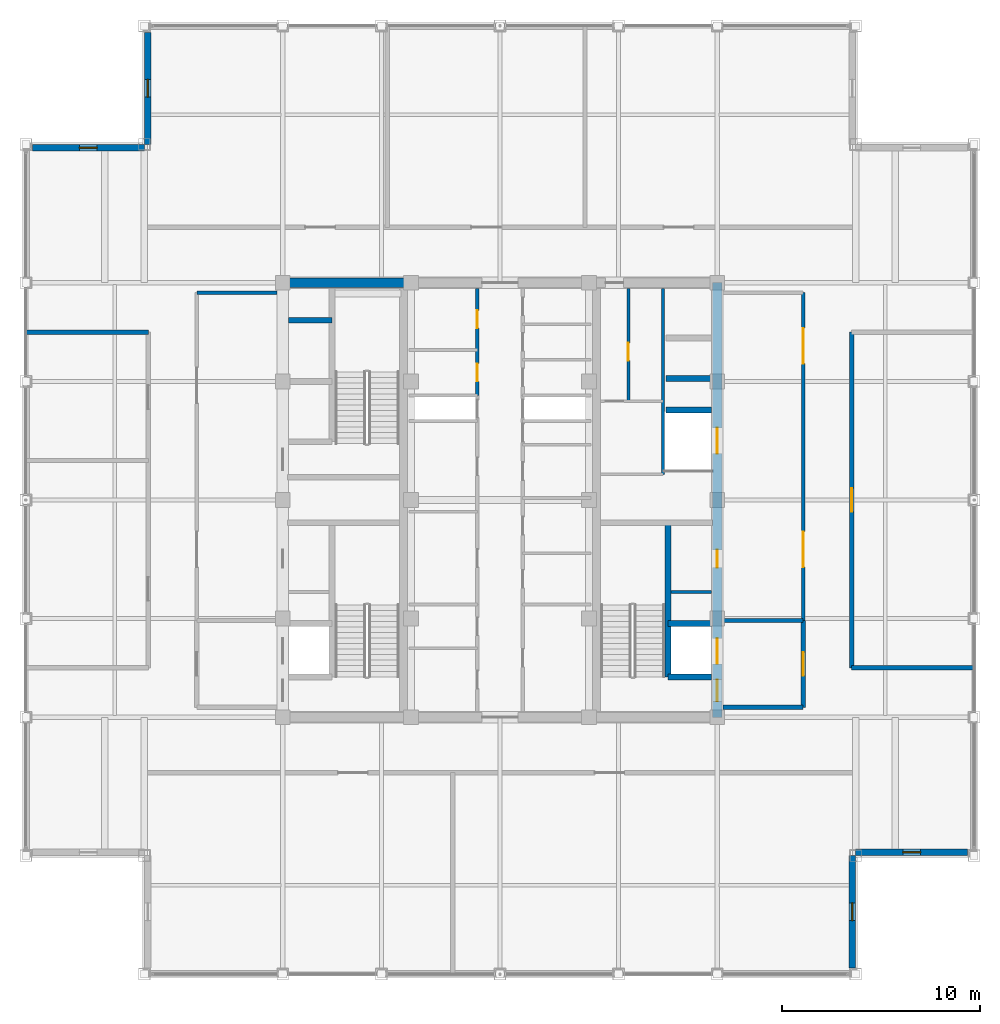
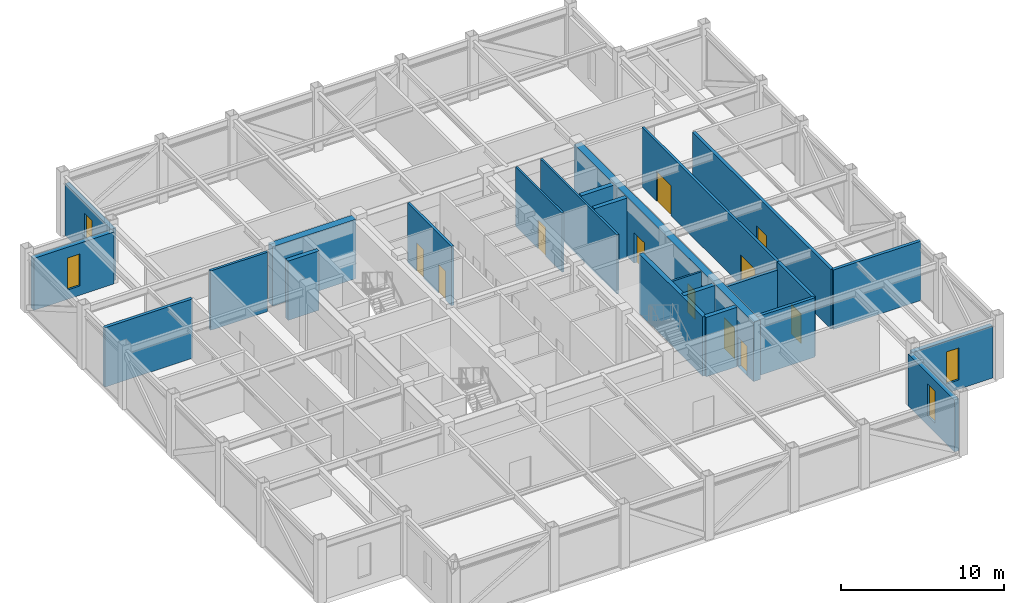
# One storey, part 25 of 27: 24 walls, 11 doors, 4 windows, 15 openings.
"""IFC4 building model written with IfcOpenShell, lengths in metres."""

from ifc_helpers import new_model, si_unit, direction, frame, frame_2d, origin, place, context, subcontext, project, spatial, rectangle, extrude, source, transform, mapped, material, layer, layer_set, type_object, element, fill, save


model = new_model("IFC4")

# Units and contexts
model_context = context("Model", 3, precision=1e-05, world=origin(), true_north=direction((0.0, 1.0)))
body_context = subcontext(model_context, "Body", "Model", "MODEL_VIEW")
ifc_project = project(units=[si_unit("LENGTHUNIT", "METRE"), si_unit("AREAUNIT", "SQUARE_METRE"), si_unit("VOLUMEUNIT", "CUBIC_METRE"), si_unit("PLANEANGLEUNIT", "RADIAN"), si_unit("MASSUNIT", "GRAM", prefix="KILO")], contexts=[model_context])

# Site, building, storey
site_placement = place(None, origin())
site = spatial("IfcSite", under=ifc_project, at=site_placement, CompositionType="ELEMENT")
building_placement = place(site_placement, origin())
building = spatial("IfcBuilding", under=site, at=building_placement, Name="Khorayat Bourse Tower", CompositionType="ELEMENT")
storey_placement = place(building_placement, frame((0.0, 0.0, 380.300048828125)))
storey = spatial("IfcBuildingStorey", under=building, at=storey_placement, Name="L90", CompositionType="ELEMENT", Elevation=380.300048828125)

# Wall, openings, doors
ifc_material_1 = material(Name="Concrete C52/65", Category="concrete")
ifc_layer_1 = layer(ifc_material_1, 0.5)
ifc_layer_set_1 = layer_set([ifc_layer_1], Name="Concrete C52/65")
wall_type_1 = type_object("IfcWallType", Name="WAL-CORE-500", PredefinedType="SHEAR", material=ifc_layer_set_1)
shared_shape_1 = source(origin(), body_context, "Body", "SweptSolid", [
    extrude(rectangle(XDim=22.0, YDim=0.5, at=frame_2d((11.0, 0.0))), origin(), (0.0, 0.0, 1.0), 4.449951171875),
])
wall_1_placement = place(storey_placement, frame((11.0, -11.0, 0.0), z_axis=(0.0, 0.0, 1.0), x_axis=(0.0, 1.0, 0.0)))
wall_1 = element("IfcWall", 1, at=wall_1_placement, inside=storey, type_object=wall_type_1, Name="L90 Core Shear Wall CORE-E", PredefinedType="SHEAR", context=body_context, shape_type="MappedRepresentation", body=[
    mapped(shared_shape_1, transform((0.0, 0.0, 0.0), scale=1.0)),
])
shared_shape_2 = source(origin(), body_context, "Body", "SweptSolid", [
    extrude(rectangle(XDim=1.10009765625, YDim=2.199951171875, at=frame_2d((0.550048828125, 1.10009765625))), frame((0.0, 0.260009765625, 0.0), z_axis=(0.0, -1.0, 0.0), x_axis=(1.0, 0.0, 0.0)), (0.0, 0.0, 1.0), 0.52001953125),
])
opening_1_placement = place(wall_1_placement, frame((0.800048828125, 0.0, 0.0)))
opening_1 = element("IfcOpeningElement", 2, at=opening_1_placement, cuts=wall_1, Name="Opening DI-01", PredefinedType="OPENING", context=body_context, shape_type="MappedRepresentation", body=[
    mapped(shared_shape_2, transform((0.0, 0.0, 0.0), scale=1.0)),
])
shared_shape_3 = source(origin(), body_context, "Body", "SweptSolid", [
    extrude(rectangle(XDim=0.89990234375, YDim=2.14990234375, at=frame_2d((0.449951171875, 1.074951171875))), frame((0.0, 0.260009765625, 0.0), z_axis=(0.0, -1.0, 0.0), x_axis=(1.0, 0.0, 0.0)), (0.0, 0.0, 1.0), 0.52001953125),
])
opening_2_placement = place(wall_1_placement, frame((7.574951171875, 0.0, 0.0)))
opening_2 = element("IfcOpeningElement", 3, at=opening_2_placement, cuts=wall_1, Name="Opening DI-06", PredefinedType="OPENING", context=body_context, shape_type="MappedRepresentation", body=[
    mapped(shared_shape_3, transform((0.0, 0.0, 0.0), scale=1.0)),
])
shared_shape_4 = source(origin(), body_context, "Body", "SweptSolid", [
    extrude(rectangle(XDim=1.300048828125, YDim=2.300048828125, at=frame_2d((0.64990234375, 1.14990234375))), frame((0.0, 0.260009765625, 0.0), z_axis=(0.0, -1.0, 0.0), x_axis=(1.0, 0.0, 0.0)), (0.0, 0.0, 1.0), 0.52001953125),
])
opening_3_placement = place(wall_1_placement, frame((2.699951171875, 0.0, 0.0)))
opening_3 = element("IfcOpeningElement", 4, at=opening_3_placement, cuts=wall_1, Name="Opening LD-02", PredefinedType="OPENING", context=body_context, shape_type="MappedRepresentation", body=[
    mapped(shared_shape_4, transform((0.0, 0.0, 0.0), scale=1.0)),
])
opening_4_placement = place(wall_1_placement, frame((13.35009765625, 0.0, 0.0)))
opening_4 = element("IfcOpeningElement", 5, at=opening_4_placement, cuts=wall_1, Name="Opening LD-02", PredefinedType="OPENING", context=body_context, shape_type="MappedRepresentation", body=[
    mapped(shared_shape_4, transform((0.0, 0.0, 0.0), scale=1.0)),
])
ifc_material_2 = material(Name="Fire-rated steel acoustic leaf", Category="steel")
door_type_1 = type_object("IfcDoorType", Name="DR-INT-STAIR-1100", OperationType="NOTDEFINED", PredefinedType="DOOR", material=ifc_material_2)
shared_shape_5 = source(origin(), body_context, "Body", "SweptSolid", [
    extrude(rectangle(XDim=1.10009765625, YDim=2.199951171875, at=frame_2d((0.550048828125, 1.10009765625))), frame((0.0, 0.02490234375, 0.0), z_axis=(0.0, -1.0, 0.0), x_axis=(1.0, 0.0, 0.0)), (0.0, 0.0, 1.0), 0.050048828125),
])
door_1_placement = place(opening_1_placement, origin())
door_1 = element("IfcDoor", 6, at=door_1_placement, inside=storey, type_object=door_type_1, Name="L90 Exit Stair 3 Door", OperationType="SINGLE_SWING_LEFT", OverallHeight=2.199951171875, OverallWidth=1.10009765625, PredefinedType="DOOR", context=body_context, shape_type="MappedRepresentation", body=[
    mapped(shared_shape_5, transform((0.0, 0.0, 0.0), scale=1.0)),
])
fill(opening_1, door_1)
ifc_material_3 = material(Name="Moisture-resistant laminate washroom door")
door_type_2 = type_object("IfcDoorType", Name="DR-INT-WC-900", OperationType="NOTDEFINED", PredefinedType="DOOR", material=ifc_material_3)
shared_shape_6 = source(origin(), body_context, "Body", "SweptSolid", [
    extrude(rectangle(XDim=0.89990234375, YDim=2.14990234375, at=frame_2d((0.449951171875, 1.074951171875))), frame((0.0, 0.02490234375, 0.0), z_axis=(0.0, -1.0, 0.0), x_axis=(1.0, 0.0, 0.0)), (0.0, 0.0, 1.0), 0.050048828125),
])
door_2_placement = place(opening_2_placement, origin())
door_2 = element("IfcDoor", 7, at=door_2_placement, inside=storey, type_object=door_type_2, Name="L90 Fiber Server Plant Room Door", OperationType="SINGLE_SWING_LEFT", OverallHeight=2.14990234375, OverallWidth=0.89990234375, PredefinedType="DOOR", context=body_context, shape_type="MappedRepresentation", body=[
    mapped(shared_shape_6, transform((0.0, 0.0, 0.0), scale=1.0)),
])
fill(opening_2, door_2)
ifc_material_4 = material(Name="Fire-rated stainless-steel sliding landing door", Category="steel")
door_type_3 = type_object("IfcDoorType", Name="DR-LIFT-FF-1300", OperationType="NOTDEFINED", PredefinedType="DOOR", material=ifc_material_4)
shared_shape_7 = source(origin(), body_context, "Body", "SweptSolid", [
    extrude(rectangle(XDim=1.300048828125, YDim=2.300048828125, at=frame_2d((0.64990234375, 1.14990234375))), frame((0.0, 0.02490234375, 0.0), z_axis=(0.0, -1.0, 0.0), x_axis=(1.0, 0.0, 0.0)), (0.0, 0.0, 1.0), 0.050048828125),
])
door_3_placement = place(opening_3_placement, origin())
door_3 = element("IfcDoor", 8, at=door_3_placement, inside=storey, type_object=door_type_3, Name="L90 Lift FFL-02 Sliding Landing Door", OperationType="SLIDING_TO_LEFT", OverallHeight=2.300048828125, OverallWidth=1.300048828125, PredefinedType="DOOR", context=body_context, shape_type="MappedRepresentation", body=[
    mapped(shared_shape_7, transform((0.0, 0.0, 0.0), scale=1.0)),
])
fill(opening_3, door_3)
door_4_placement = place(opening_4_placement, origin())
door_4 = element("IfcDoor", 9, at=door_4_placement, inside=storey, type_object=door_type_3, Name="L90 Lift SVL-01 Sliding Landing Door", OperationType="SLIDING_TO_LEFT", OverallHeight=2.300048828125, OverallWidth=1.300048828125, PredefinedType="DOOR", context=body_context, shape_type="MappedRepresentation", body=[
    mapped(shared_shape_7, transform((0.0, 0.0, 0.0), scale=1.0)),
])
fill(opening_4, door_4)

# Wall
shared_shape_8 = source(origin(), body_context, "Body", "SweptSolid", [
    extrude(rectangle(XDim=5.89990234375, YDim=0.5, at=frame_2d((2.949951171875, 0.0))), origin(), (0.0, 0.0, 1.0), 4.449951171875),
])
wall_2_placement = place(storey_placement, frame((-10.75, 11.0, 0.0), z_axis=(0.0, 0.0, 1.0), x_axis=(1.0, 0.0, 0.0)))
element("IfcWall", 10, at=wall_2_placement, inside=storey, type_object=wall_type_1, Name="L90 Core Shear Wall PIER-WN", PredefinedType="SHEAR", context=body_context, shape_type="MappedRepresentation", body=[
    mapped(shared_shape_8, transform((0.0, 0.0, 0.0), scale=1.0)),
])

# Wall, opening, window
ifc_material_5 = material(Name="Precast concrete C45/55", Category="concrete")
ifc_layer_2 = layer(ifc_material_5, 0.320068359375)
ifc_layer_set_2 = layer_set([ifc_layer_2], Name="Precast concrete C45/55")
wall_type_2 = type_object("IfcWallType", Name="WAL-EXT-STONE-320", PredefinedType="STANDARD", material=ifc_layer_set_2)
shared_shape_9 = source(origin(), body_context, "Body", "SweptSolid", [
    extrude(rectangle(XDim=5.679931640625, YDim=0.320068359375, at=frame_2d((2.83984375, 0.0))), origin(), (0.0, 0.0, 1.0), 3.90087890625),
])
wall_3_placement = place(storey_placement, frame((17.840087890625, -23.679931640625, 0.0), z_axis=(0.0, 0.0, 1.0), x_axis=(0.0, 1.0, 0.0)))
wall_3 = element("IfcWall", 11, at=wall_3_placement, inside=storey, type_object=wall_type_2, Name="L90 Re-Entrant Notch Limestone Wall SE-V", PredefinedType="STANDARD", context=body_context, shape_type="MappedRepresentation", body=[
    mapped(shared_shape_9, transform((0.0, 0.0, 0.0), scale=1.0)),
])
shared_shape_10 = source(origin(), body_context, "Body", "SweptSolid", [
    extrude(rectangle(XDim=0.89990234375, YDim=2.39990234375, at=frame_2d((0.449951171875, 1.199951171875))), frame((0.0, 0.169921875, 0.0), z_axis=(0.0, -1.0, 0.0), x_axis=(1.0, 0.0, 0.0)), (0.0, 0.0, 1.0), 0.340087890625),
])
opening_5_placement = place(wall_3_placement, frame((2.389892578125, 0.0, 0.699951171875)))
opening_5 = element("IfcOpeningElement", 12, at=opening_5_placement, cuts=wall_3, Name="Opening WN-03", PredefinedType="OPENING", context=body_context, shape_type="MappedRepresentation", body=[
    mapped(shared_shape_10, transform((0.0, 0.0, 0.0), scale=1.0)),
])
ifc_material_6 = material(Name="Deep-reveal solar-control double glazing", Category="glass")
window_type = type_object("IfcWindowType", Name="WIN-SLOT-900x2400", PartitioningType="SINGLE_PANEL", PredefinedType="WINDOW", material=ifc_material_6)
shared_shape_11 = source(origin(), body_context, "Body", "SweptSolid", [
    extrude(rectangle(XDim=0.89990234375, YDim=2.39990234375, at=frame_2d((0.449951171875, 1.199951171875))), frame((0.0, 0.030029296875, 0.0), z_axis=(0.0, -1.0, 0.0), x_axis=(1.0, 0.0, 0.0)), (0.0, 0.0, 1.0), 0.06005859375),
])
window_1_placement = place(opening_5_placement, origin())
window_1 = element("IfcWindow", 13, at=window_1_placement, inside=storey, type_object=window_type, Name="L90 Facade Window 1", OverallHeight=2.39990234375, OverallWidth=0.89990234375, PartitioningType="SINGLE_PANEL", PredefinedType="WINDOW", context=body_context, shape_type="MappedRepresentation", body=[
    mapped(shared_shape_11, transform((0.0, 0.0, 0.0), scale=1.0)),
])
fill(opening_5, window_1)

wall_4_placement = place(storey_placement, frame((18.0, -17.840087890625, 0.0), z_axis=(0.0, 0.0, 1.0), x_axis=(1.0, 0.0, 0.0)))
wall_4 = element("IfcWall", 14, at=wall_4_placement, inside=storey, type_object=wall_type_2, Name="L90 Re-Entrant Notch Limestone Wall SE-H", PredefinedType="STANDARD", context=body_context, shape_type="MappedRepresentation", body=[
    mapped(shared_shape_9, transform((0.0, 0.0, 0.0), scale=1.0)),
])
opening_6_placement = place(wall_4_placement, frame((2.389892578125, 0.0, 0.699951171875)))
opening_6 = element("IfcOpeningElement", 15, at=opening_6_placement, cuts=wall_4, Name="Opening WN-03", PredefinedType="OPENING", context=body_context, shape_type="MappedRepresentation", body=[
    mapped(shared_shape_10, transform((0.0, 0.0, 0.0), scale=1.0)),
])
window_2_placement = place(opening_6_placement, origin())
window_2 = element("IfcWindow", 16, at=window_2_placement, inside=storey, type_object=window_type, Name="L90 Facade Window 1", OverallHeight=2.39990234375, OverallWidth=0.89990234375, PartitioningType="SINGLE_PANEL", PredefinedType="WINDOW", context=body_context, shape_type="MappedRepresentation", body=[
    mapped(shared_shape_11, transform((0.0, 0.0, 0.0), scale=1.0)),
])
fill(opening_6, window_2)

wall_5_placement = place(storey_placement, frame((-17.840087890625, 18.0, 0.0), z_axis=(0.0, 0.0, 1.0), x_axis=(0.0, 1.0, 0.0)))
wall_5 = element("IfcWall", 17, at=wall_5_placement, inside=storey, type_object=wall_type_2, Name="L90 Re-Entrant Notch Limestone Wall NW-V", PredefinedType="STANDARD", context=body_context, shape_type="MappedRepresentation", body=[
    mapped(shared_shape_9, transform((0.0, 0.0, 0.0), scale=1.0)),
])
opening_7_placement = place(wall_5_placement, frame((2.389892578125, 0.0, 0.699951171875)))
opening_7 = element("IfcOpeningElement", 18, at=opening_7_placement, cuts=wall_5, Name="Opening WN-03", PredefinedType="OPENING", context=body_context, shape_type="MappedRepresentation", body=[
    mapped(shared_shape_10, transform((0.0, 0.0, 0.0), scale=1.0)),
])
window_3_placement = place(opening_7_placement, origin())
window_3 = element("IfcWindow", 19, at=window_3_placement, inside=storey, type_object=window_type, Name="L90 Facade Window 1", OverallHeight=2.39990234375, OverallWidth=0.89990234375, PartitioningType="SINGLE_PANEL", PredefinedType="WINDOW", context=body_context, shape_type="MappedRepresentation", body=[
    mapped(shared_shape_11, transform((0.0, 0.0, 0.0), scale=1.0)),
])
fill(opening_7, window_3)

wall_6_placement = place(storey_placement, frame((-18.0, 17.840087890625, 0.0), z_axis=(0.0, 0.0, 1.0), x_axis=(-1.0, 0.0, 0.0)))
wall_6 = element("IfcWall", 20, at=wall_6_placement, inside=storey, type_object=wall_type_2, Name="L90 Re-Entrant Notch Limestone Wall NW-H", PredefinedType="STANDARD", context=body_context, shape_type="MappedRepresentation", body=[
    mapped(shared_shape_9, transform((0.0, 0.0, 0.0), scale=1.0)),
])
opening_8_placement = place(wall_6_placement, frame((2.389892578125, 0.0, 0.699951171875)))
opening_8 = element("IfcOpeningElement", 21, at=opening_8_placement, cuts=wall_6, Name="Opening WN-03", PredefinedType="OPENING", context=body_context, shape_type="MappedRepresentation", body=[
    mapped(shared_shape_10, transform((0.0, 0.0, 0.0), scale=1.0)),
])
window_4_placement = place(opening_8_placement, origin())
window_4 = element("IfcWindow", 22, at=window_4_placement, inside=storey, type_object=window_type, Name="L90 Facade Window 1", OverallHeight=2.39990234375, OverallWidth=0.89990234375, PartitioningType="SINGLE_PANEL", PredefinedType="WINDOW", context=body_context, shape_type="MappedRepresentation", body=[
    mapped(shared_shape_11, transform((0.0, 0.0, 0.0), scale=1.0)),
])
fill(opening_8, window_4)

# Walls
ifc_material_7 = material(Name="Concrete C50/60", Category="concrete")
ifc_layer_3 = layer(ifc_material_7, 0.300048828125)
ifc_layer_set_3 = layer_set([ifc_layer_3], Name="Concrete C50/60")
wall_type_3 = type_object("IfcWallType", Name="WAL-SHAFT-300", PredefinedType="SHEAR", material=ifc_layer_set_3)
shared_shape_12 = source(origin(), body_context, "Body", "SweptSolid", [
    extrude(rectangle(XDim=7.800048828125, YDim=0.300048828125, at=frame_2d((3.89990234375, 0.0))), origin(), (0.0, 0.0, 1.0), 4.449951171875),
])
wall_7_placement = place(storey_placement, frame((8.5, -8.949951171875, 0.0), z_axis=(0.0, 0.0, 1.0), x_axis=(0.0, 1.0, 0.0)))
element("IfcWall", 23, at=wall_7_placement, inside=storey, type_object=wall_type_3, Name="L90 Partition WAL-L90-EPIER-SP", PredefinedType="SHEAR", context=body_context, shape_type="MappedRepresentation", body=[
    mapped(shared_shape_12, transform((0.0, 0.0, 0.0), scale=1.0)),
])
shared_shape_13 = source(origin(), body_context, "Body", "SweptSolid", [
    extrude(rectangle(XDim=2.199951171875, YDim=0.300048828125, at=frame_2d((1.10009765625, 0.0))), origin(), (0.0, 0.0, 1.0), 4.449951171875),
])
for number, where, z_axis, x_axis, name in (
    (24, (-10.699951171875, 9.10009765625, 0.0), (0.0, 0.0, 1.0), (1.0, 0.0, 0.0), "L90 Partition WAL-L90-WPIER-H2N"),
    (25, (8.5, -8.949951171875, 0.0), (0.0, 0.0, 1.0), (1.0, 0.0, 0.0), "L90 Partition WAL-L90-EPIER-FF2S"),
    (26, (8.5, -6.25, 0.0), (0.0, 0.0, 1.0), (1.0, 0.0, 0.0), "L90 Partition WAL-L90-EPIER-FF2N"),
):
    element("IfcWall", number, at=place(storey_placement, frame(where, z_axis=z_axis, x_axis=x_axis)), inside=storey, type_object=wall_type_3, Name=name, PredefinedType="SHEAR", context=body_context, shape_type="MappedRepresentation", body=[
        mapped(shared_shape_13, transform((0.0, 0.0, 0.0), scale=1.0)),
    ])
shared_shape_14 = source(origin(), body_context, "Body", "SweptSolid", [
    extrude(rectangle(XDim=2.300048828125, YDim=0.300048828125, at=frame_2d((1.14990234375, 0.0))), origin(), (0.0, 0.0, 1.0), 4.449951171875),
])
for number, where, z_axis, x_axis, name in (
    (27, (8.39990234375, 4.550048828125, 0.0), (0.0, 0.0, 1.0), (1.0, 0.0, 0.0), "L90 Partition WAL-L90-EPIER-SVLN"),
    (28, (8.39990234375, 6.14990234375, 0.0), (0.0, 0.0, 1.0), (1.0, 0.0, 0.0), "L90 Partition WAL-L90-EPIER-H3S"),
):
    element("IfcWall", number, at=place(storey_placement, frame(where, z_axis=z_axis, x_axis=x_axis)), inside=storey, type_object=wall_type_3, Name=name, PredefinedType="SHEAR", context=body_context, shape_type="MappedRepresentation", body=[
        mapped(shared_shape_14, transform((0.0, 0.0, 0.0), scale=1.0)),
    ])
ifc_material_8 = material(Name="Gypsum plasterboard twin-frame partition")
ifc_layer_4 = layer(ifc_material_8, 0.14990234375)
ifc_layer_set_4 = layer_set([ifc_layer_4], Name="Gypsum plasterboard twin-frame partition")
wall_type_4 = type_object("IfcWallType", Name="WAL-PART-SUITE-150", PredefinedType="PARTITIONING", material=ifc_layer_set_4)
shared_shape_15 = source(origin(), body_context, "Body", "SweptSolid", [
    extrude(rectangle(XDim=2.050048828125, YDim=0.14990234375, at=frame_2d((1.02490234375, 0.0))), origin(), (0.0, 0.0, 1.0), 4.449951171875),
])
wall_8_placement = place(storey_placement, frame((8.64990234375, -4.64990234375, 0.0), z_axis=(0.0, 0.0, 1.0), x_axis=(1.0, 0.0, 0.0)))
element("IfcWall", 29, at=wall_8_placement, inside=storey, type_object=wall_type_4, Name="L90 Partition WAL-L90-ESRV-S0", PredefinedType="PARTITIONING", context=body_context, shape_type="MappedRepresentation", body=[
    mapped(shared_shape_15, transform((0.0, 0.0, 0.0), scale=1.0)),
])
ifc_material_9 = material(Name="Moisture-resistant masonry partition", Category="masonry")
ifc_layer_5 = layer(ifc_material_9, 0.139892578125)
ifc_layer_set_5 = layer_set([ifc_layer_5], Name="Moisture-resistant masonry partition")
wall_type_5 = type_object("IfcWallType", Name="WAL-PART-WET-140", PredefinedType="PARTITIONING", material=ifc_layer_set_5)
shared_shape_16 = source(origin(), body_context, "Body", "SweptSolid", [
    extrude(rectangle(XDim=9.39990234375, YDim=0.139892578125, at=frame_2d((4.699951171875, 0.0))), origin(), (0.0, 0.0, 1.0), 4.449951171875),
])
wall_9_placement = place(storey_placement, frame((8.25, 1.300048828125, 0.0), z_axis=(0.0, 0.0, 1.0), x_axis=(0.0, 1.0, 0.0)))
element("IfcWall", 30, at=wall_9_placement, inside=storey, type_object=wall_type_5, Name="L90 Partition WAL-L90-ECORE-E", PredefinedType="PARTITIONING", context=body_context, shape_type="MappedRepresentation", body=[
    mapped(shared_shape_16, transform((0.0, 0.0, 0.0), scale=1.0)),
])

# Wall, opening, door
shared_shape_17 = source(origin(), body_context, "Body", "SweptSolid", [
    extrude(rectangle(XDim=5.699951171875, YDim=0.139892578125, at=frame_2d((2.85009765625, 0.0))), origin(), (0.0, 0.0, 1.0), 4.449951171875),
])
wall_10_placement = place(storey_placement, frame((6.5, 5.0, 0.0), z_axis=(0.0, 0.0, 1.0), x_axis=(0.0, 1.0, 0.0)))
wall_10 = element("IfcWall", 31, at=wall_10_placement, inside=storey, type_object=wall_type_5, Name="L90 Partition WAL-L90-ECW-MID", PredefinedType="PARTITIONING", context=body_context, shape_type="MappedRepresentation", body=[
    mapped(shared_shape_17, transform((0.0, 0.0, 0.0), scale=1.0)),
])
shared_shape_18 = source(origin(), body_context, "Body", "SweptSolid", [
    extrude(rectangle(XDim=0.89990234375, YDim=2.14990234375, at=frame_2d((0.449951171875, 1.074951171875))), frame((0.0, 0.079833984375, 0.0), z_axis=(0.0, -1.0, 0.0), x_axis=(1.0, 0.0, 0.0)), (0.0, 0.0, 1.0), 0.159912109375),
])
opening_9_placement = place(wall_10_placement, frame((2.050048828125, 0.0, 0.0)))
opening_9 = element("IfcOpeningElement", 32, at=opening_9_placement, cuts=wall_10, Name="Opening DI-06", PredefinedType="OPENING", context=body_context, shape_type="MappedRepresentation", body=[
    mapped(shared_shape_18, transform((0.0, 0.0, 0.0), scale=1.0)),
])
door_5_placement = place(opening_9_placement, origin())
door_5 = element("IfcDoor", 33, at=door_5_placement, inside=storey, type_object=door_type_2, Name="L90 Accessible WC Door", OperationType="SINGLE_SWING_RIGHT", OverallHeight=2.14990234375, OverallWidth=0.89990234375, PredefinedType="DOOR", context=body_context, shape_type="MappedRepresentation", body=[
    mapped(shared_shape_6, transform((0.0, 0.0, 0.0), scale=1.0)),
])
fill(opening_9, door_5)

# Walls
ifc_material_10 = material(Name="Aerated concrete blockwork", Category="masonry")
ifc_layer_6 = layer(ifc_material_10, 0.219970703125)
ifc_layer_set_6 = layer_set([ifc_layer_6], Name="Aerated concrete blockwork")
wall_type_6 = type_object("IfcWallType", Name="WAL-PART-FF-220", PredefinedType="PARTITIONING", material=ifc_layer_set_6)
shared_shape_19 = source(origin(), body_context, "Body", "SweptSolid", [
    extrude(rectangle(XDim=4.050048828125, YDim=0.219970703125, at=frame_2d((2.02490234375, 0.0))), origin(), (0.0, 0.0, 1.0), 4.449951171875),
])
wall_11_placement = place(storey_placement, frame((11.300048828125, -10.5, 0.0), z_axis=(0.0, 0.0, 1.0), x_axis=(1.0, 0.0, 0.0)))
element("IfcWall", 34, at=wall_11_placement, inside=storey, type_object=wall_type_6, Name="L90 Partition WAL-L90-FFLE-S", PredefinedType="PARTITIONING", context=body_context, shape_type="MappedRepresentation", body=[
    mapped(shared_shape_19, transform((0.0, 0.0, 0.0), scale=1.0)),
])
shared_shape_20 = source(origin(), body_context, "Body", "SweptSolid", [
    extrude(rectangle(XDim=4.050048828125, YDim=0.219970703125, at=frame_2d((2.02490234375, 0.0))), origin(), (0.0, 0.0, 1.0), 3.90087890625),
])
wall_12_placement = place(storey_placement, frame((11.300048828125, -6.10009765625, 0.0), z_axis=(0.0, 0.0, 1.0), x_axis=(1.0, 0.0, 0.0)))
element("IfcWall", 35, at=wall_12_placement, inside=storey, type_object=wall_type_6, Name="L90 Partition WAL-L90-FFLE-N", PredefinedType="PARTITIONING", context=body_context, shape_type="MappedRepresentation", body=[
    mapped(shared_shape_20, transform((0.0, 0.0, 0.0), scale=1.0)),
])

# Wall, opening, door
shared_shape_21 = source(origin(), body_context, "Body", "SweptSolid", [
    extrude(rectangle(XDim=4.39990234375, YDim=0.219970703125, at=frame_2d((2.199951171875, 0.0))), origin(), (0.0, 0.0, 1.0), 4.449951171875),
])
wall_13_placement = place(storey_placement, frame((15.35009765625, -10.5, 0.0), z_axis=(0.0, 0.0, 1.0), x_axis=(0.0, 1.0, 0.0)))
wall_13 = element("IfcWall", 36, at=wall_13_placement, inside=storey, type_object=wall_type_6, Name="L90 Partition WAL-L90-FFLE-E", PredefinedType="PARTITIONING", context=body_context, shape_type="MappedRepresentation", body=[
    mapped(shared_shape_21, transform((0.0, 0.0, 0.0), scale=1.0)),
])
shared_shape_22 = source(origin(), body_context, "Body", "SweptSolid", [
    extrude(rectangle(XDim=1.199951171875, YDim=2.199951171875, at=frame_2d((0.60009765625, 1.10009765625))), frame((0.0, 0.119873046875, 0.0), z_axis=(0.0, -1.0, 0.0), x_axis=(1.0, 0.0, 0.0)), (0.0, 0.0, 1.0), 0.239990234375),
])
opening_10_placement = place(wall_13_placement, frame((1.60009765625, 0.0, 0.0)))
opening_10 = element("IfcOpeningElement", 37, at=opening_10_placement, cuts=wall_13, Name="Opening DI-02", PredefinedType="OPENING", context=body_context, shape_type="MappedRepresentation", body=[
    mapped(shared_shape_22, transform((0.0, 0.0, 0.0), scale=1.0)),
])
ifc_material_11 = material(Name="Fire-rated steel double-seal leaf", Category="steel")
door_type_4 = type_object("IfcDoorType", Name="DR-INT-FFLOBBY-1200", OperationType="NOTDEFINED", PredefinedType="DOOR", material=ifc_material_11)
shared_shape_23 = source(origin(), body_context, "Body", "SweptSolid", [
    extrude(rectangle(XDim=1.199951171875, YDim=2.199951171875, at=frame_2d((0.60009765625, 1.10009765625))), frame((0.0, 0.02490234375, 0.0), z_axis=(0.0, -1.0, 0.0), x_axis=(1.0, 0.0, 0.0)), (0.0, 0.0, 1.0), 0.050048828125),
])
door_6_placement = place(opening_10_placement, origin())
door_6 = element("IfcDoor", 38, at=door_6_placement, inside=storey, type_object=door_type_4, Name="L90 East Firefighting Lobby Door", OperationType="SINGLE_SWING_RIGHT", OverallHeight=2.199951171875, OverallWidth=1.199951171875, PredefinedType="DOOR", context=body_context, shape_type="MappedRepresentation", body=[
    mapped(shared_shape_23, transform((0.0, 0.0, 0.0), scale=1.0)),
])
fill(opening_10, door_6)

# Wall
ifc_material_12 = material(Name="Gypsum plasterboard acoustic stud wall")
ifc_layer_7 = layer(ifc_material_12, 0.179931640625)
ifc_layer_set_7 = layer_set([ifc_layer_7], Name="Gypsum plasterboard acoustic stud wall")
wall_type_7 = type_object("IfcWallType", Name="WAL-PART-CORR-180", PredefinedType="PARTITIONING", material=ifc_layer_set_7)
shared_shape_24 = source(origin(), body_context, "Body", "SweptSolid", [
    extrude(rectangle(XDim=4.050048828125, YDim=0.179931640625, at=frame_2d((2.02490234375, 0.0))), origin(), (0.0, 0.0, 1.0), 4.449951171875),
])
wall_14_placement = place(storey_placement, frame((-15.35009765625, 10.5, 0.0), z_axis=(0.0, 0.0, 1.0), x_axis=(1.0, 0.0, 0.0)))
element("IfcWall", 39, at=wall_14_placement, inside=storey, type_object=wall_type_7, Name="L90 Partition WAL-L90-WLOB-N", PredefinedType="PARTITIONING", context=body_context, shape_type="MappedRepresentation", body=[
    mapped(shared_shape_24, transform((0.0, 0.0, 0.0), scale=1.0)),
])

# Wall, openings, doors
shared_shape_25 = source(origin(), body_context, "Body", "SweptSolid", [
    extrude(rectangle(XDim=16.60009765625, YDim=0.179931640625, at=frame_2d((8.300048828125, 0.0))), origin(), (0.0, 0.0, 1.0), 4.449951171875),
])
wall_15_placement = place(storey_placement, frame((15.35009765625, -6.10009765625, 0.0), z_axis=(0.0, 0.0, 1.0), x_axis=(0.0, 1.0, 0.0)))
wall_15 = element("IfcWall", 40, at=wall_15_placement, inside=storey, type_object=wall_type_7, Name="L90 Partition WAL-L90-ELOB-E", PredefinedType="PARTITIONING", context=body_context, shape_type="MappedRepresentation", body=[
    mapped(shared_shape_25, transform((0.0, 0.0, 0.0), scale=1.0)),
])
shared_shape_26 = source(origin(), body_context, "Body", "SweptSolid", [
    extrude(rectangle(XDim=1.800048828125, YDim=2.25, at=frame_2d((0.89990234375, 1.125))), frame((0.0, 0.099853515625, 0.0), z_axis=(0.0, -1.0, 0.0), x_axis=(1.0, 0.0, 0.0)), (0.0, 0.0, 1.0), 0.199951171875),
])
opening_11_placement = place(wall_15_placement, frame((2.699951171875, 0.0, 0.0)))
opening_11 = element("IfcOpeningElement", 41, at=opening_11_placement, cuts=wall_15, Name="Opening DI-03", PredefinedType="OPENING", context=body_context, shape_type="MappedRepresentation", body=[
    mapped(shared_shape_26, transform((0.0, 0.0, 0.0), scale=1.0)),
])
opening_12_placement = place(wall_15_placement, frame((13.0, 0.0, 0.0)))
opening_12 = element("IfcOpeningElement", 42, at=opening_12_placement, cuts=wall_15, Name="Opening DI-03", PredefinedType="OPENING", context=body_context, shape_type="MappedRepresentation", body=[
    mapped(shared_shape_26, transform((0.0, 0.0, 0.0), scale=1.0)),
])
ifc_material_13 = material(Name="Fire-rated hardwood vision-panel double leaf", Category="wood")
door_type_5 = type_object("IfcDoorType", Name="DR-INT-CORR-1800", OperationType="NOTDEFINED", PredefinedType="DOOR", material=ifc_material_13)
shared_shape_27 = source(origin(), body_context, "Body", "SweptSolid", [
    extrude(rectangle(XDim=1.800048828125, YDim=2.25, at=frame_2d((0.89990234375, 1.125))), frame((0.0, 0.02490234375, 0.0), z_axis=(0.0, -1.0, 0.0), x_axis=(1.0, 0.0, 0.0)), (0.0, 0.0, 1.0), 0.050048828125),
])
door_7_placement = place(opening_11_placement, origin())
door_7 = element("IfcDoor", 43, at=door_7_placement, inside=storey, type_object=door_type_5, Name="L90 East Core Lobby South Door", OperationType="SINGLE_SWING_RIGHT", OverallHeight=2.25, OverallWidth=1.800048828125, PredefinedType="DOOR", context=body_context, shape_type="MappedRepresentation", body=[
    mapped(shared_shape_27, transform((0.0, 0.0, 0.0), scale=1.0)),
])
fill(opening_11, door_7)
door_8_placement = place(opening_12_placement, origin())
door_8 = element("IfcDoor", 44, at=door_8_placement, inside=storey, type_object=door_type_5, Name="L90 East Core Lobby North Door", OperationType="SINGLE_SWING_LEFT", OverallHeight=2.25, OverallWidth=1.800048828125, PredefinedType="DOOR", context=body_context, shape_type="MappedRepresentation", body=[
    mapped(shared_shape_27, transform((0.0, 0.0, 0.0), scale=1.0)),
])
fill(opening_12, door_8)

shared_shape_28 = source(origin(), body_context, "Body", "SweptSolid", [
    extrude(rectangle(XDim=5.39990234375, YDim=0.179931640625, at=frame_2d((2.699951171875, 0.0))), origin(), (0.0, 0.0, 1.0), 4.449951171875),
])
wall_16_placement = place(storey_placement, frame((-1.14990234375, 5.300048828125, 0.0), z_axis=(0.0, 0.0, 1.0), x_axis=(0.0, 1.0, 0.0)))
wall_16 = element("IfcWall", 45, at=wall_16_placement, inside=storey, type_object=wall_type_7, Name="L90 Partition WAL-L90-FB2W-L", PredefinedType="PARTITIONING", context=body_context, shape_type="MappedRepresentation", body=[
    mapped(shared_shape_28, transform((0.0, 0.0, 0.0), scale=1.0)),
])
shared_shape_29 = source(origin(), body_context, "Body", "SweptSolid", [
    extrude(rectangle(XDim=0.89990234375, YDim=2.14990234375, at=frame_2d((0.449951171875, 1.074951171875))), frame((0.0, 0.099853515625, 0.0), z_axis=(0.0, -1.0, 0.0), x_axis=(1.0, 0.0, 0.0)), (0.0, 0.0, 1.0), 0.199951171875),
])
opening_13_placement = place(wall_16_placement, frame((0.699951171875, 0.0, 0.0)))
opening_13 = element("IfcOpeningElement", 46, at=opening_13_placement, cuts=wall_16, Name="Opening DI-06", PredefinedType="OPENING", context=body_context, shape_type="MappedRepresentation", body=[
    mapped(shared_shape_29, transform((0.0, 0.0, 0.0), scale=1.0)),
])
opening_14_placement = place(wall_16_placement, frame((3.39990234375, 0.0, 0.0)))
opening_14 = element("IfcOpeningElement", 47, at=opening_14_placement, cuts=wall_16, Name="Opening DI-06", PredefinedType="OPENING", context=body_context, shape_type="MappedRepresentation", body=[
    mapped(shared_shape_29, transform((0.0, 0.0, 0.0), scale=1.0)),
])
door_9_placement = place(opening_13_placement, origin())
door_9 = element("IfcDoor", 48, at=door_9_placement, inside=storey, type_object=door_type_2, Name="L90 Board Archive Store Door", OperationType="SINGLE_SWING_RIGHT", OverallHeight=2.14990234375, OverallWidth=0.89990234375, PredefinedType="DOOR", context=body_context, shape_type="MappedRepresentation", body=[
    mapped(shared_shape_6, transform((0.0, 0.0, 0.0), scale=1.0)),
])
fill(opening_13, door_9)
door_10_placement = place(opening_14_placement, origin())
door_10 = element("IfcDoor", 49, at=door_10_placement, inside=storey, type_object=door_type_2, Name="L90 Smoke Control Plant Room Door", OperationType="SINGLE_SWING_LEFT", OverallHeight=2.14990234375, OverallWidth=0.89990234375, PredefinedType="DOOR", context=body_context, shape_type="MappedRepresentation", body=[
    mapped(shared_shape_6, transform((0.0, 0.0, 0.0), scale=1.0)),
])
fill(opening_14, door_10)

# Walls
shared_shape_30 = source(origin(), body_context, "Body", "SweptSolid", [
    extrude(rectangle(XDim=6.199951171875, YDim=0.219970703125, at=frame_2d((3.10009765625, 0.0))), origin(), (0.0, 0.0, 1.0), 4.449951171875),
])
for number, where, z_axis, x_axis, name in (
    (50, (-24.0, 8.5, 0.0), (0.0, 0.0, 1.0), (1.0, 0.0, 0.0), "L90 Partition WAL-L90-PLW-N"),
    (51, (17.800048828125, -8.5, 0.0), (0.0, 0.0, 1.0), (1.0, 0.0, 0.0), "L90 Partition WAL-L90-PLE-S"),
):
    element("IfcWall", number, at=place(storey_placement, frame(where, z_axis=z_axis, x_axis=x_axis)), inside=storey, type_object=wall_type_6, Name=name, PredefinedType="PARTITIONING", context=body_context, shape_type="MappedRepresentation", body=[
        mapped(shared_shape_30, transform((0.0, 0.0, 0.0), scale=1.0)),
    ])

# Wall, opening, door
shared_shape_31 = source(origin(), body_context, "Body", "SweptSolid", [
    extrude(rectangle(XDim=17.0, YDim=0.219970703125, at=frame_2d((8.5, 0.0))), origin(), (0.0, 0.0, 1.0), 4.449951171875),
])
wall_17_placement = place(storey_placement, frame((17.800048828125, -8.5, 0.0), z_axis=(0.0, 0.0, 1.0), x_axis=(0.0, 1.0, 0.0)))
wall_17 = element("IfcWall", 52, at=wall_17_placement, inside=storey, type_object=wall_type_6, Name="L90 Partition WAL-L90-PLE-W", PredefinedType="PARTITIONING", context=body_context, shape_type="MappedRepresentation", body=[
    mapped(shared_shape_31, transform((0.0, 0.0, 0.0), scale=1.0)),
])
opening_15_placement = place(wall_17_placement, frame((7.89990234375, 0.0, 0.0)))
opening_15 = element("IfcOpeningElement", 53, at=opening_15_placement, cuts=wall_17, Name="Opening DI-02", PredefinedType="OPENING", context=body_context, shape_type="MappedRepresentation", body=[
    mapped(shared_shape_22, transform((0.0, 0.0, 0.0), scale=1.0)),
])
door_11_placement = place(opening_15_placement, origin())
door_11 = element("IfcDoor", 54, at=door_11_placement, inside=storey, type_object=door_type_4, Name="L90 Lift Machine Plant Door", OperationType="SINGLE_SWING_RIGHT", OverallHeight=2.199951171875, OverallWidth=1.199951171875, PredefinedType="DOOR", context=body_context, shape_type="MappedRepresentation", body=[
    mapped(shared_shape_23, transform((0.0, 0.0, 0.0), scale=1.0)),
])
fill(opening_15, door_11)

save(model, "model.ifc")
